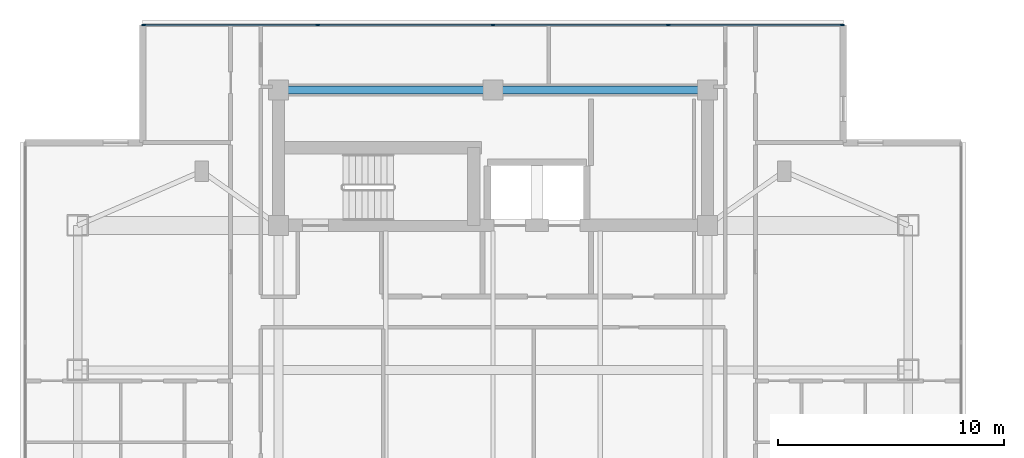
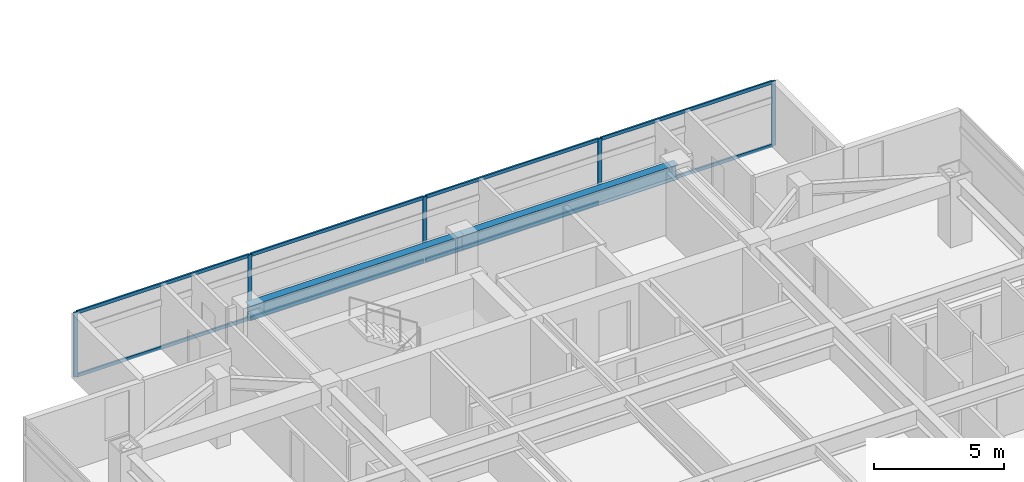
# One storey, part 7 of 24: 13 members, 2 beams, 1 element without a shape of its own.
"""IFC4 building model written with IfcOpenShell, lengths in metres."""

from ifc_helpers import new_model, si_unit, direction, frame, origin, origin_2d, place, context, subcontext, project, spatial, rectangle, i_section, extrude, material, material_profile, profile_set, type_object, element, aggregate, save


model = new_model("IFC4")

# Units and contexts
model_context = context("Model", 3, precision=1e-05, world=origin(), true_north=direction((0.0, 1.0)))
body_context = subcontext(model_context, "Body", "Model", "MODEL_VIEW")
ifc_project = project(units=[si_unit("LENGTHUNIT", "METRE"), si_unit("AREAUNIT", "SQUARE_METRE"), si_unit("VOLUMEUNIT", "CUBIC_METRE"), si_unit("PLANEANGLEUNIT", "RADIAN"), si_unit("MASSUNIT", "GRAM", prefix="KILO")], contexts=[model_context])

# Site, building, storey
site_placement = place(None, origin())
site = spatial("IfcSite", under=ifc_project, at=site_placement, CompositionType="ELEMENT")
building_placement = place(site_placement, origin())
building = spatial("IfcBuilding", under=site, at=building_placement, Name="Mirazonda Arch Towers", CompositionType="ELEMENT")
storey_placement = place(building_placement, frame((0.0, 0.0, 199.89990234375)))
storey = spatial("IfcBuildingStorey", under=building, at=storey_placement, Name="L57", CompositionType="ELEMENT", Elevation=199.89990234375)

# Beams
ifc_material_1 = material(Name="Steel ASTM A992 Grade 50", Category="steel")
ifc_material_profile_1 = material_profile(ifc_material_1, i_section(OverallWidth=0.35498046875, OverallDepth=0.696044921875, WebThickness=0.015380859375, FlangeThickness=0.02490234375, at=origin_2d()), Name="W27X146")
ifc_profile_set_1 = profile_set([ifc_material_profile_1], Name="Steel ASTM A992 Grade 50")
beam_type = type_object("IfcBeamType", Name="BM-INT-W27X146", PredefinedType="BEAM", material=ifc_profile_set_1)
for number, where, z_axis, x_axis, name in (
    (1, (11.0, 43.60009765625, 2.7021484375), (1.0, 0.0, 0.0), (0.0, 1.0, 0.0), "L57 Floor Beam BM-T1-L57-CN1"),
    (2, (20.5, 43.60009765625, 2.7021484375), (1.0, 0.0, 0.0), (0.0, 1.0, 0.0), "L57 Floor Beam BM-T1-L57-CN2"),
):
    element("IfcBeam", number, at=place(storey_placement, frame(where, z_axis=z_axis, x_axis=x_axis)), inside=storey, type_object=beam_type, Name=name, PredefinedType="BEAM", context=body_context, shape_type="SweptSolid", body=[
        extrude(i_section(OverallWidth=0.35498046875, OverallDepth=0.696044921875, WebThickness=0.015380859375, FlangeThickness=0.02490234375, at=origin_2d()), origin(), (0.0, 0.0, 1.0), 9.5),
    ])

# Curtain wall, members
ifc_material_2 = material(Name="Anodised Aluminium and Low-E Glass", Category="aluminium")
curtain_wall_type = type_object("IfcCurtainWallType", Name="CW-RES-UNIT", PredefinedType="NOTDEFINED", material=ifc_material_2)
curtain_wall_placement = place(storey_placement, origin())
curtain_wall = element("IfcCurtainWall", 3, at=curtain_wall_placement, inside=storey, type_object=curtain_wall_type, Name="L57 T1 N Facade CW-L57-T1-N", PredefinedType="NOTDEFINED")
ifc_material_3 = material(Name="Anodised Aluminium Alloy", Category="aluminium")
ifc_material_profile_2 = material_profile(ifc_material_3, rectangle(XDim=0.074951171875, YDim=0.175048828125, at=origin_2d()), Name="ALU-MULL-75x175")
ifc_profile_set_2 = profile_set([ifc_material_profile_2], Name="Anodised Aluminium Alloy")
member_type_1 = type_object("IfcMemberType", Name="MULL-CW-RES-UNIT", PredefinedType="MULLION", material=ifc_profile_set_2)
member_1_placement = place(storey_placement, frame((5.0224609375, 46.47998046875, 0.0), z_axis=(0.0, 0.0, 1.0), x_axis=(0.0, 1.0, 0.0)))
member_1 = element("IfcMember", 4, at=member_1_placement, type_object=member_type_1, Name="CW-104 mullion 1", PredefinedType="MULLION", context=body_context, shape_type="SweptSolid", body=[
    extrude(rectangle(XDim=0.074951171875, YDim=0.175048828125, at=origin_2d()), origin(), (0.0, 0.0, 1.0), 3.030029296875),
])
member_2_placement = place(storey_placement, frame((12.742431640625, 46.47998046875, 0.0), z_axis=(0.0, 0.0, 1.0), x_axis=(0.0, 1.0, 0.0)))
member_2 = element("IfcMember", 5, at=member_2_placement, type_object=member_type_1, Name="CW-104 mullion 2", PredefinedType="MULLION", context=body_context, shape_type="SweptSolid", body=[
    extrude(rectangle(XDim=0.074951171875, YDim=0.175048828125, at=origin_2d()), origin(), (0.0, 0.0, 1.0), 3.030029296875),
])
member_3_placement = place(storey_placement, frame((20.5, 46.47998046875, 0.0), z_axis=(0.0, 0.0, 1.0), x_axis=(0.0, 1.0, 0.0)))
member_3 = element("IfcMember", 6, at=member_3_placement, type_object=member_type_1, Name="CW-104 mullion 3", PredefinedType="MULLION", context=body_context, shape_type="SweptSolid", body=[
    extrude(rectangle(XDim=0.074951171875, YDim=0.175048828125, at=origin_2d()), origin(), (0.0, 0.0, 1.0), 3.030029296875),
])
member_4_placement = place(storey_placement, frame((28.257568359375, 46.47998046875, 0.0), z_axis=(0.0, 0.0, 1.0), x_axis=(0.0, 1.0, 0.0)))
member_4 = element("IfcMember", 7, at=member_4_placement, type_object=member_type_1, Name="CW-104 mullion 4", PredefinedType="MULLION", context=body_context, shape_type="SweptSolid", body=[
    extrude(rectangle(XDim=0.074951171875, YDim=0.175048828125, at=origin_2d()), origin(), (0.0, 0.0, 1.0), 3.030029296875),
])
member_5_placement = place(storey_placement, frame((35.9775390625, 46.47998046875, 0.0), z_axis=(0.0, 0.0, 1.0), x_axis=(0.0, 1.0, 0.0)))
member_5 = element("IfcMember", 8, at=member_5_placement, type_object=member_type_1, Name="CW-104 mullion 5", PredefinedType="MULLION", context=body_context, shape_type="SweptSolid", body=[
    extrude(rectangle(XDim=0.074951171875, YDim=0.175048828125, at=origin_2d()), origin(), (0.0, 0.0, 1.0), 3.030029296875),
])
ifc_material_profile_3 = material_profile(ifc_material_3, rectangle(XDim=0.074951171875, YDim=0.155029296875, at=origin_2d()), Name="ALU-TRAN-75x155")
ifc_profile_set_3 = profile_set([ifc_material_profile_3], Name="Anodised Aluminium Alloy")
member_type_2 = type_object("IfcMemberType", Name="TRAN-CW-RES-UNIT", PredefinedType="USERDEFINED", material=ifc_profile_set_3)
member_6_placement = place(storey_placement, frame((5.06005859375, 46.47998046875, 0.03759765625), z_axis=(1.0, 0.0, 0.0), x_axis=(0.0, 1.0, 0.0)))
member_6 = element("IfcMember", 9, at=member_6_placement, type_object=member_type_2, Name="CW-104 transom 1.1", ObjectType="TRANSOM", PredefinedType="USERDEFINED", context=body_context, shape_type="SweptSolid", body=[
    extrude(rectangle(XDim=0.074951171875, YDim=0.155029296875, at=origin_2d()), origin(), (0.0, 0.0, 1.0), 7.64501953125),
])
member_7_placement = place(storey_placement, frame((5.06005859375, 46.47998046875, 2.99267578125), z_axis=(1.0, 0.0, 0.0), x_axis=(0.0, 1.0, 0.0)))
member_7 = element("IfcMember", 10, at=member_7_placement, type_object=member_type_2, Name="CW-104 transom 1.2", ObjectType="TRANSOM", PredefinedType="USERDEFINED", context=body_context, shape_type="SweptSolid", body=[
    extrude(rectangle(XDim=0.074951171875, YDim=0.155029296875, at=origin_2d()), origin(), (0.0, 0.0, 1.0), 7.64501953125),
])
member_8_placement = place(storey_placement, frame((12.780029296875, 46.47998046875, 0.03759765625), z_axis=(1.0, 0.0, 0.0), x_axis=(0.0, 1.0, 0.0)))
member_8 = element("IfcMember", 11, at=member_8_placement, type_object=member_type_2, Name="CW-104 transom 2.1", ObjectType="TRANSOM", PredefinedType="USERDEFINED", context=body_context, shape_type="SweptSolid", body=[
    extrude(rectangle(XDim=0.074951171875, YDim=0.155029296875, at=origin_2d()), origin(), (0.0, 0.0, 1.0), 7.682373046875),
])
member_9_placement = place(storey_placement, frame((12.780029296875, 46.47998046875, 2.99267578125), z_axis=(1.0, 0.0, 0.0), x_axis=(0.0, 1.0, 0.0)))
member_9 = element("IfcMember", 12, at=member_9_placement, type_object=member_type_2, Name="CW-104 transom 2.2", ObjectType="TRANSOM", PredefinedType="USERDEFINED", context=body_context, shape_type="SweptSolid", body=[
    extrude(rectangle(XDim=0.074951171875, YDim=0.155029296875, at=origin_2d()), origin(), (0.0, 0.0, 1.0), 7.682373046875),
])
member_10_placement = place(storey_placement, frame((20.53759765625, 46.47998046875, 0.03759765625), z_axis=(1.0, 0.0, 0.0), x_axis=(0.0, 1.0, 0.0)))
member_10 = element("IfcMember", 13, at=member_10_placement, type_object=member_type_2, Name="CW-104 transom 3.1", ObjectType="TRANSOM", PredefinedType="USERDEFINED", context=body_context, shape_type="SweptSolid", body=[
    extrude(rectangle(XDim=0.074951171875, YDim=0.155029296875, at=origin_2d()), origin(), (0.0, 0.0, 1.0), 7.682373046875),
])
member_11_placement = place(storey_placement, frame((20.53759765625, 46.47998046875, 2.99267578125), z_axis=(1.0, 0.0, 0.0), x_axis=(0.0, 1.0, 0.0)))
member_11 = element("IfcMember", 14, at=member_11_placement, type_object=member_type_2, Name="CW-104 transom 3.2", ObjectType="TRANSOM", PredefinedType="USERDEFINED", context=body_context, shape_type="SweptSolid", body=[
    extrude(rectangle(XDim=0.074951171875, YDim=0.155029296875, at=origin_2d()), origin(), (0.0, 0.0, 1.0), 7.682373046875),
])
member_12_placement = place(storey_placement, frame((28.294921875, 46.47998046875, 0.03759765625), z_axis=(1.0, 0.0, 0.0), x_axis=(0.0, 1.0, 0.0)))
member_12 = element("IfcMember", 15, at=member_12_placement, type_object=member_type_2, Name="CW-104 transom 4.1", ObjectType="TRANSOM", PredefinedType="USERDEFINED", context=body_context, shape_type="SweptSolid", body=[
    extrude(rectangle(XDim=0.074951171875, YDim=0.155029296875, at=origin_2d()), origin(), (0.0, 0.0, 1.0), 7.64501953125),
])
member_13_placement = place(storey_placement, frame((28.294921875, 46.47998046875, 2.99267578125), z_axis=(1.0, 0.0, 0.0), x_axis=(0.0, 1.0, 0.0)))
member_13 = element("IfcMember", 16, at=member_13_placement, type_object=member_type_2, Name="CW-104 transom 4.2", ObjectType="TRANSOM", PredefinedType="USERDEFINED", context=body_context, shape_type="SweptSolid", body=[
    extrude(rectangle(XDim=0.074951171875, YDim=0.155029296875, at=origin_2d()), origin(), (0.0, 0.0, 1.0), 7.64501953125),
])
aggregate(curtain_wall, [member_1, member_2, member_3, member_4, member_5, member_6, member_7, member_8, member_9, member_10, member_11, member_12, member_13])

save(model, "model.ifc")
